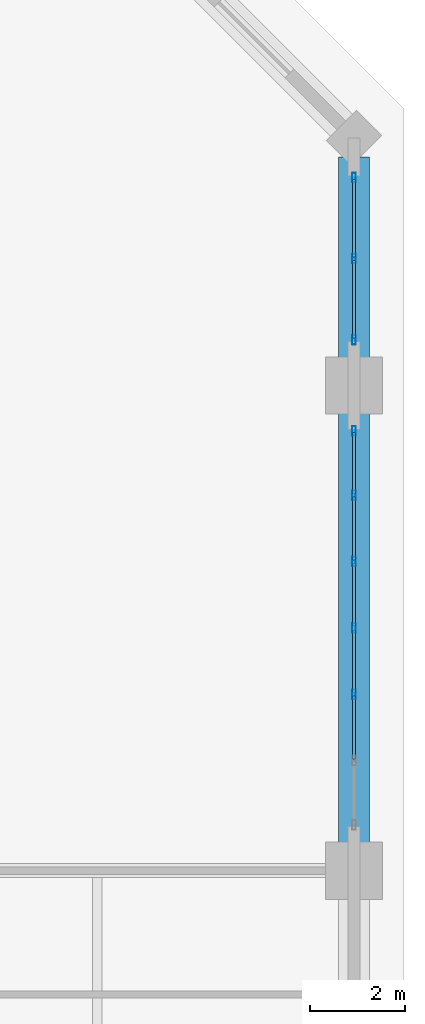
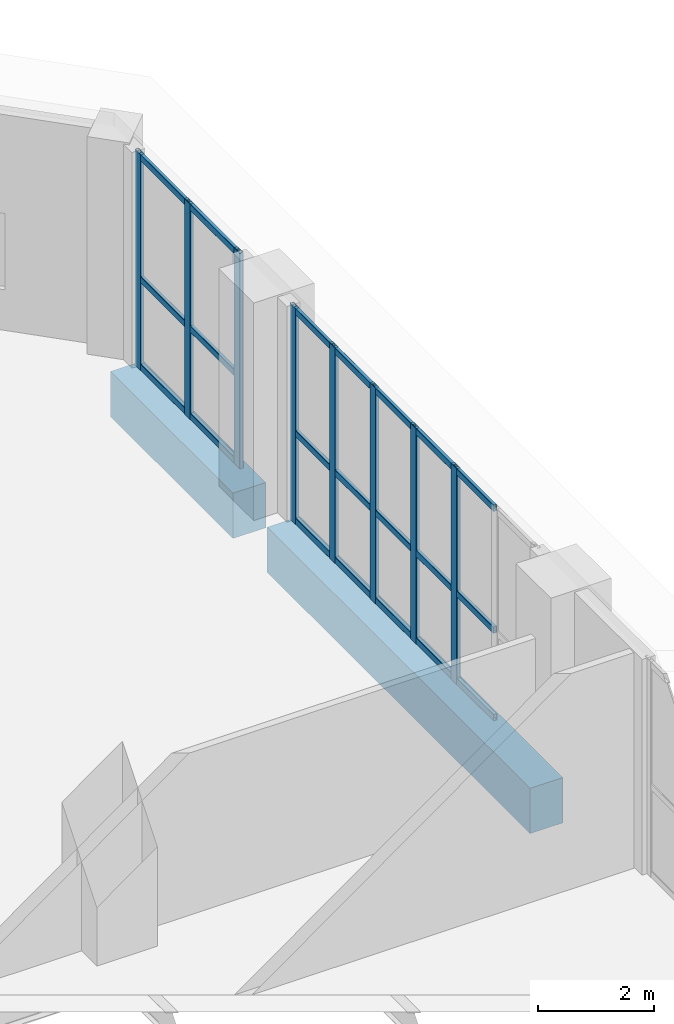
# One storey, part 23 of 37: 29 members, 2 beams, 2 elements without a shape of their own.
"""IFC4 building model written with IfcOpenShell, lengths in metres."""

from ifc_helpers import new_model, si_unit, direction, frame, origin, origin_2d, place, context, subcontext, project, spatial, rectangle, hollow_rectangle, extrude, material, layer, layer_set, material_profile, profile_set, type_object, element, aggregate, save


model = new_model("IFC4")

# Units and contexts
model_context = context("Model", 3, precision=1e-05, world=origin(), true_north=direction((0.0, 1.0)))
body_context = subcontext(model_context, "Body", "Model", "MODEL_VIEW")
ifc_project = project(units=[si_unit("LENGTHUNIT", "METRE"), si_unit("AREAUNIT", "SQUARE_METRE"), si_unit("VOLUMEUNIT", "CUBIC_METRE"), si_unit("PLANEANGLEUNIT", "RADIAN"), si_unit("MASSUNIT", "GRAM", prefix="KILO")], contexts=[model_context])

# Site, building, storey
site_placement = place(None, origin())
site = spatial("IfcSite", under=ifc_project, at=site_placement, CompositionType="ELEMENT")
building_placement = place(site_placement, origin())
building = spatial("IfcBuilding", under=site, at=building_placement, Name="Kaelvorn Grand Hotel", CompositionType="ELEMENT")
storey_placement = place(building_placement, frame((0.0, 0.0, 130.550048828125)))
storey = spatial("IfcBuildingStorey", under=building, at=storey_placement, Name="L31", CompositionType="ELEMENT", Elevation=130.550048828125)

# Beams
ifc_material_1 = material(Name="Concrete C60/75", Category="concrete")
ifc_material_profile_1 = material_profile(ifc_material_1, rectangle(XDim=0.64990234375, YDim=0.949951171875, at=origin_2d()), Name="RC SPANDREL 650x950")
ifc_profile_set_1 = profile_set([ifc_material_profile_1], Name="Concrete C60/75")
beam_type = type_object("IfcBeamType", Name="BM-SP-650x950-C60", PredefinedType="SPANDREL", material=ifc_profile_set_1)
beam_1_placement = place(storey_placement, frame((84.0, 29.985107421875, -0.715087890625), z_axis=(0.0, 1.0, 0.0), x_axis=(-1.0, 0.0, 0.0)))
element("IfcBeam", 1, at=beam_1_placement, inside=storey, type_object=beam_type, Name="L31 East Perimeter Spandrel 03", PredefinedType="SPANDREL", context=body_context, shape_type="SweptSolid", body=[
    extrude(rectangle(XDim=0.64990234375, YDim=0.949951171875, at=origin_2d()), origin(), (0.0, 0.0, 1.0), 9.02978515625),
])
beam_2_placement = place(storey_placement, frame((84.0, 40.18505859375, -0.715087890625), z_axis=(0.0, 1.0, 0.0), x_axis=(-1.0, 0.0, 0.0)))
element("IfcBeam", 2, at=beam_2_placement, inside=storey, type_object=beam_type, Name="L31 East Perimeter Spandrel 04", PredefinedType="SPANDREL", context=body_context, shape_type="SweptSolid", body=[
    extrude(rectangle(XDim=0.64990234375, YDim=0.949951171875, at=origin_2d()), origin(), (0.0, 0.0, 1.0), 4.2099609375),
])

# Curtain wall, members
ifc_material_2 = material(Name="Anodised Aluminium", Category="aluminium")
ifc_layer = layer(ifc_material_2, 0.199951171875)
ifc_layer_set = layer_set([ifc_layer], Name="Anodised Aluminium")
curtain_wall_type = type_object("IfcCurtainWallType", Name="CW-SYS3", PredefinedType="NOTDEFINED", material=ifc_layer_set)
curtain_wall_1_placement = place(storey_placement, origin())
curtain_wall_1 = element("IfcCurtainWall", 3, at=curtain_wall_1_placement, inside=storey, type_object=curtain_wall_type, Name="L31 Unitised Curtain Wall CW3 (CW-L31-E-03)", PredefinedType="NOTDEFINED")
ifc_material_profile_2 = material_profile(ifc_material_2, hollow_rectangle(XDim=0.074951171875, YDim=0.199951171875, WallThickness=0.00390625, InnerFilletRadius=0.00390625, OuterFilletRadius=0.008056640625, at=origin_2d()), Name="ALU MULL 75x200")
ifc_profile_set_2 = profile_set([ifc_material_profile_2], Name="Anodised Aluminium")
member_type_1 = type_object("IfcMemberType", Name="CW-SYS3-MULL", PredefinedType="MULLION", material=ifc_profile_set_2)
member_1_placement = place(storey_placement, frame((84.0, 33.106689453125, 0.0), z_axis=(0.0, 0.0, 1.0), x_axis=(-1.0, 0.0, 0.0)))
member_1 = element("IfcMember", 4, at=member_1_placement, type_object=member_type_1, Name="CW3 mullion 3", PredefinedType="MULLION", context=body_context, shape_type="SweptSolid", body=[
    extrude(hollow_rectangle(XDim=0.074951171875, YDim=0.199951171875, WallThickness=0.00390625, InnerFilletRadius=0.00390625, OuterFilletRadius=0.008056640625, at=origin_2d()), origin(), (0.0, 0.0, 1.0), 4.52001953125),
])
member_2_placement = place(storey_placement, frame((84.0, 34.5, 0.0), z_axis=(0.0, 0.0, 1.0), x_axis=(-1.0, 0.0, 0.0)))
member_2 = element("IfcMember", 5, at=member_2_placement, type_object=member_type_1, Name="CW3 mullion 4", PredefinedType="MULLION", context=body_context, shape_type="SweptSolid", body=[
    extrude(hollow_rectangle(XDim=0.074951171875, YDim=0.199951171875, WallThickness=0.00390625, InnerFilletRadius=0.00390625, OuterFilletRadius=0.008056640625, at=origin_2d()), origin(), (0.0, 0.0, 1.0), 4.52001953125),
])
member_3_placement = place(storey_placement, frame((84.0, 35.893310546875, 0.0), z_axis=(0.0, 0.0, 1.0), x_axis=(-1.0, 0.0, 0.0)))
member_3 = element("IfcMember", 6, at=member_3_placement, type_object=member_type_1, Name="CW3 mullion 5", PredefinedType="MULLION", context=body_context, shape_type="SweptSolid", body=[
    extrude(hollow_rectangle(XDim=0.074951171875, YDim=0.199951171875, WallThickness=0.00390625, InnerFilletRadius=0.00390625, OuterFilletRadius=0.008056640625, at=origin_2d()), origin(), (0.0, 0.0, 1.0), 4.52001953125),
])
member_4_placement = place(storey_placement, frame((84.0, 37.28662109375, 0.0), z_axis=(0.0, 0.0, 1.0), x_axis=(-1.0, 0.0, 0.0)))
member_4 = element("IfcMember", 7, at=member_4_placement, type_object=member_type_1, Name="CW3 mullion 6", PredefinedType="MULLION", context=body_context, shape_type="SweptSolid", body=[
    extrude(hollow_rectangle(XDim=0.074951171875, YDim=0.199951171875, WallThickness=0.00390625, InnerFilletRadius=0.00390625, OuterFilletRadius=0.008056640625, at=origin_2d()), origin(), (0.0, 0.0, 1.0), 4.52001953125),
])
member_5_placement = place(storey_placement, frame((84.0, 38.642578125, 0.0), z_axis=(0.0, 0.0, 1.0), x_axis=(-1.0, 0.0, 0.0)))
member_5 = element("IfcMember", 8, at=member_5_placement, type_object=member_type_1, Name="CW3 mullion 7", PredefinedType="MULLION", context=body_context, shape_type="SweptSolid", body=[
    extrude(hollow_rectangle(XDim=0.074951171875, YDim=0.199951171875, WallThickness=0.00390625, InnerFilletRadius=0.00390625, OuterFilletRadius=0.008056640625, at=origin_2d()), origin(), (0.0, 0.0, 1.0), 4.52001953125),
])

curtain_wall_2_placement = place(storey_placement, origin())
curtain_wall_2 = element("IfcCurtainWall", 9, at=curtain_wall_2_placement, inside=storey, type_object=curtain_wall_type, Name="L31 Unitised Curtain Wall CW3 (CW-L31-E-04)", PredefinedType="NOTDEFINED")
member_6_placement = place(storey_placement, frame((84.0, 40.5576171875, 0.0), z_axis=(0.0, 0.0, 1.0), x_axis=(-1.0, 0.0, 0.0)))
member_6 = element("IfcMember", 10, at=member_6_placement, type_object=member_type_1, Name="CW3 mullion 1", PredefinedType="MULLION", context=body_context, shape_type="SweptSolid", body=[
    extrude(hollow_rectangle(XDim=0.074951171875, YDim=0.199951171875, WallThickness=0.00390625, InnerFilletRadius=0.00390625, OuterFilletRadius=0.008056640625, at=origin_2d()), origin(), (0.0, 0.0, 1.0), 4.52001953125),
])
member_7_placement = place(storey_placement, frame((84.0, 42.260009765625, 0.0), z_axis=(0.0, 0.0, 1.0), x_axis=(-1.0, 0.0, 0.0)))
member_7 = element("IfcMember", 11, at=member_7_placement, type_object=member_type_1, Name="CW3 mullion 2", PredefinedType="MULLION", context=body_context, shape_type="SweptSolid", body=[
    extrude(hollow_rectangle(XDim=0.074951171875, YDim=0.199951171875, WallThickness=0.00390625, InnerFilletRadius=0.00390625, OuterFilletRadius=0.008056640625, at=origin_2d()), origin(), (0.0, 0.0, 1.0), 4.52001953125),
])
member_8_placement = place(storey_placement, frame((84.0, 43.96240234375, 0.0), z_axis=(0.0, 0.0, 1.0), x_axis=(-1.0, 0.0, 0.0)))
member_8 = element("IfcMember", 12, at=member_8_placement, type_object=member_type_1, Name="CW3 mullion 3", PredefinedType="MULLION", context=body_context, shape_type="SweptSolid", body=[
    extrude(hollow_rectangle(XDim=0.074951171875, YDim=0.199951171875, WallThickness=0.00390625, InnerFilletRadius=0.00390625, OuterFilletRadius=0.008056640625, at=origin_2d()), origin(), (0.0, 0.0, 1.0), 4.52001953125),
])

# Member
ifc_material_profile_3 = material_profile(ifc_material_2, hollow_rectangle(XDim=0.070068359375, YDim=0.135009765625, WallThickness=0.00341796875, InnerFilletRadius=0.00341796875, OuterFilletRadius=0.007080078125, at=origin_2d()), Name="ALU TRAN 70x135")
ifc_profile_set_3 = profile_set([ifc_material_profile_3], Name="Anodised Aluminium")
member_type_2 = type_object("IfcMemberType", Name="CW-SYS3-TRAN", PredefinedType="NOTDEFINED", material=ifc_profile_set_3)
member_9_placement = place(storey_placement, frame((84.0, 31.750732421875, 0.0673828125), z_axis=(0.0, 1.0, 0.0), x_axis=(-1.0, 0.0, 0.0)))
member_9 = element("IfcMember", 13, at=member_9_placement, type_object=member_type_2, Name="CW3 transom 2.1", ObjectType="TRANSOM", PredefinedType="USERDEFINED", context=body_context, shape_type="SweptSolid", body=[
    extrude(hollow_rectangle(XDim=0.070068359375, YDim=0.135009765625, WallThickness=0.00341796875, InnerFilletRadius=0.00341796875, OuterFilletRadius=0.007080078125, at=origin_2d()), origin(), (0.0, 0.0, 1.0), 1.318359375),
])

member_10_placement = place(storey_placement, frame((84.0, 31.750732421875, 1.8984375), z_axis=(0.0, 1.0, 0.0), x_axis=(-1.0, 0.0, 0.0)))
member_10 = element("IfcMember", 14, at=member_10_placement, type_object=member_type_2, Name="CW3 transom 2.2", ObjectType="TRANSOM", PredefinedType="USERDEFINED", context=body_context, shape_type="SweptSolid", body=[
    extrude(hollow_rectangle(XDim=0.070068359375, YDim=0.135009765625, WallThickness=0.00341796875, InnerFilletRadius=0.00341796875, OuterFilletRadius=0.007080078125, at=origin_2d()), origin(), (0.0, 0.0, 1.0), 1.318359375),
])

member_11_placement = place(storey_placement, frame((84.0, 31.750732421875, 4.452392578125), z_axis=(0.0, 1.0, 0.0), x_axis=(-1.0, 0.0, 0.0)))
member_11 = element("IfcMember", 15, at=member_11_placement, type_object=member_type_2, Name="CW3 transom 2.3", ObjectType="TRANSOM", PredefinedType="USERDEFINED", context=body_context, shape_type="SweptSolid", body=[
    extrude(hollow_rectangle(XDim=0.070068359375, YDim=0.135009765625, WallThickness=0.00341796875, InnerFilletRadius=0.00341796875, OuterFilletRadius=0.007080078125, at=origin_2d()), origin(), (0.0, 0.0, 1.0), 1.318359375),
])

member_12_placement = place(storey_placement, frame((84.0, 33.144287109375, 0.0673828125), z_axis=(0.0, 1.0, 0.0), x_axis=(-1.0, 0.0, 0.0)))
member_12 = element("IfcMember", 16, at=member_12_placement, type_object=member_type_2, Name="CW3 transom 3.1", ObjectType="TRANSOM", PredefinedType="USERDEFINED", context=body_context, shape_type="SweptSolid", body=[
    extrude(hollow_rectangle(XDim=0.070068359375, YDim=0.135009765625, WallThickness=0.00341796875, InnerFilletRadius=0.00341796875, OuterFilletRadius=0.007080078125, at=origin_2d()), origin(), (0.0, 0.0, 1.0), 1.318115234375),
])

member_13_placement = place(storey_placement, frame((84.0, 33.144287109375, 1.8984375), z_axis=(0.0, 1.0, 0.0), x_axis=(-1.0, 0.0, 0.0)))
member_13 = element("IfcMember", 17, at=member_13_placement, type_object=member_type_2, Name="CW3 transom 3.2", ObjectType="TRANSOM", PredefinedType="USERDEFINED", context=body_context, shape_type="SweptSolid", body=[
    extrude(hollow_rectangle(XDim=0.070068359375, YDim=0.135009765625, WallThickness=0.00341796875, InnerFilletRadius=0.00341796875, OuterFilletRadius=0.007080078125, at=origin_2d()), origin(), (0.0, 0.0, 1.0), 1.318115234375),
])

member_14_placement = place(storey_placement, frame((84.0, 33.144287109375, 4.452392578125), z_axis=(0.0, 1.0, 0.0), x_axis=(-1.0, 0.0, 0.0)))
member_14 = element("IfcMember", 18, at=member_14_placement, type_object=member_type_2, Name="CW3 transom 3.3", ObjectType="TRANSOM", PredefinedType="USERDEFINED", context=body_context, shape_type="SweptSolid", body=[
    extrude(hollow_rectangle(XDim=0.070068359375, YDim=0.135009765625, WallThickness=0.00341796875, InnerFilletRadius=0.00341796875, OuterFilletRadius=0.007080078125, at=origin_2d()), origin(), (0.0, 0.0, 1.0), 1.318115234375),
])

member_15_placement = place(storey_placement, frame((84.0, 34.53759765625, 0.0673828125), z_axis=(0.0, 1.0, 0.0), x_axis=(-1.0, 0.0, 0.0)))
member_15 = element("IfcMember", 19, at=member_15_placement, type_object=member_type_2, Name="CW3 transom 4.1", ObjectType="TRANSOM", PredefinedType="USERDEFINED", context=body_context, shape_type="SweptSolid", body=[
    extrude(hollow_rectangle(XDim=0.070068359375, YDim=0.135009765625, WallThickness=0.00341796875, InnerFilletRadius=0.00341796875, OuterFilletRadius=0.007080078125, at=origin_2d()), origin(), (0.0, 0.0, 1.0), 1.318115234375),
])

member_16_placement = place(storey_placement, frame((84.0, 34.53759765625, 1.8984375), z_axis=(0.0, 1.0, 0.0), x_axis=(-1.0, 0.0, 0.0)))
member_16 = element("IfcMember", 20, at=member_16_placement, type_object=member_type_2, Name="CW3 transom 4.2", ObjectType="TRANSOM", PredefinedType="USERDEFINED", context=body_context, shape_type="SweptSolid", body=[
    extrude(hollow_rectangle(XDim=0.070068359375, YDim=0.135009765625, WallThickness=0.00341796875, InnerFilletRadius=0.00341796875, OuterFilletRadius=0.007080078125, at=origin_2d()), origin(), (0.0, 0.0, 1.0), 1.318115234375),
])

member_17_placement = place(storey_placement, frame((84.0, 34.53759765625, 4.452392578125), z_axis=(0.0, 1.0, 0.0), x_axis=(-1.0, 0.0, 0.0)))
member_17 = element("IfcMember", 21, at=member_17_placement, type_object=member_type_2, Name="CW3 transom 4.3", ObjectType="TRANSOM", PredefinedType="USERDEFINED", context=body_context, shape_type="SweptSolid", body=[
    extrude(hollow_rectangle(XDim=0.070068359375, YDim=0.135009765625, WallThickness=0.00341796875, InnerFilletRadius=0.00341796875, OuterFilletRadius=0.007080078125, at=origin_2d()), origin(), (0.0, 0.0, 1.0), 1.318115234375),
])

member_18_placement = place(storey_placement, frame((84.0, 35.930908203125, 0.0673828125), z_axis=(0.0, 1.0, 0.0), x_axis=(-1.0, 0.0, 0.0)))
member_18 = element("IfcMember", 22, at=member_18_placement, type_object=member_type_2, Name="CW3 transom 5.1", ObjectType="TRANSOM", PredefinedType="USERDEFINED", context=body_context, shape_type="SweptSolid", body=[
    extrude(hollow_rectangle(XDim=0.070068359375, YDim=0.135009765625, WallThickness=0.00341796875, InnerFilletRadius=0.00341796875, OuterFilletRadius=0.007080078125, at=origin_2d()), origin(), (0.0, 0.0, 1.0), 1.318359375),
])

member_19_placement = place(storey_placement, frame((84.0, 35.930908203125, 1.8984375), z_axis=(0.0, 1.0, 0.0), x_axis=(-1.0, 0.0, 0.0)))
member_19 = element("IfcMember", 23, at=member_19_placement, type_object=member_type_2, Name="CW3 transom 5.2", ObjectType="TRANSOM", PredefinedType="USERDEFINED", context=body_context, shape_type="SweptSolid", body=[
    extrude(hollow_rectangle(XDim=0.070068359375, YDim=0.135009765625, WallThickness=0.00341796875, InnerFilletRadius=0.00341796875, OuterFilletRadius=0.007080078125, at=origin_2d()), origin(), (0.0, 0.0, 1.0), 1.318359375),
])

member_20_placement = place(storey_placement, frame((84.0, 35.930908203125, 4.452392578125), z_axis=(0.0, 1.0, 0.0), x_axis=(-1.0, 0.0, 0.0)))
member_20 = element("IfcMember", 24, at=member_20_placement, type_object=member_type_2, Name="CW3 transom 5.3", ObjectType="TRANSOM", PredefinedType="USERDEFINED", context=body_context, shape_type="SweptSolid", body=[
    extrude(hollow_rectangle(XDim=0.070068359375, YDim=0.135009765625, WallThickness=0.00341796875, InnerFilletRadius=0.00341796875, OuterFilletRadius=0.007080078125, at=origin_2d()), origin(), (0.0, 0.0, 1.0), 1.318359375),
])

member_21_placement = place(storey_placement, frame((84.0, 37.32421875, 0.0673828125), z_axis=(0.0, 1.0, 0.0), x_axis=(-1.0, 0.0, 0.0)))
member_21 = element("IfcMember", 25, at=member_21_placement, type_object=member_type_2, Name="CW3 transom 6.1", ObjectType="TRANSOM", PredefinedType="USERDEFINED", context=body_context, shape_type="SweptSolid", body=[
    extrude(hollow_rectangle(XDim=0.070068359375, YDim=0.135009765625, WallThickness=0.00341796875, InnerFilletRadius=0.00341796875, OuterFilletRadius=0.007080078125, at=origin_2d()), origin(), (0.0, 0.0, 1.0), 1.28076171875),
])

member_22_placement = place(storey_placement, frame((84.0, 37.32421875, 1.8984375), z_axis=(0.0, 1.0, 0.0), x_axis=(-1.0, 0.0, 0.0)))
member_22 = element("IfcMember", 26, at=member_22_placement, type_object=member_type_2, Name="CW3 transom 6.2", ObjectType="TRANSOM", PredefinedType="USERDEFINED", context=body_context, shape_type="SweptSolid", body=[
    extrude(hollow_rectangle(XDim=0.070068359375, YDim=0.135009765625, WallThickness=0.00341796875, InnerFilletRadius=0.00341796875, OuterFilletRadius=0.007080078125, at=origin_2d()), origin(), (0.0, 0.0, 1.0), 1.28076171875),
])

member_23_placement = place(storey_placement, frame((84.0, 37.32421875, 4.452392578125), z_axis=(0.0, 1.0, 0.0), x_axis=(-1.0, 0.0, 0.0)))
member_23 = element("IfcMember", 27, at=member_23_placement, type_object=member_type_2, Name="CW3 transom 6.3", ObjectType="TRANSOM", PredefinedType="USERDEFINED", context=body_context, shape_type="SweptSolid", body=[
    extrude(hollow_rectangle(XDim=0.070068359375, YDim=0.135009765625, WallThickness=0.00341796875, InnerFilletRadius=0.00341796875, OuterFilletRadius=0.007080078125, at=origin_2d()), origin(), (0.0, 0.0, 1.0), 1.28076171875),
])

aggregate(curtain_wall_1, [member_1, member_2, member_3, member_4, member_5, member_9, member_10, member_11, member_12, member_13, member_14, member_15, member_16, member_17, member_18, member_19, member_20, member_21, member_22, member_23])

member_24_placement = place(storey_placement, frame((84.0, 40.594970703125, 0.0673828125), z_axis=(0.0, 1.0, 0.0), x_axis=(-1.0, 0.0, 0.0)))
member_24 = element("IfcMember", 28, at=member_24_placement, type_object=member_type_2, Name="CW3 transom 1.1", ObjectType="TRANSOM", PredefinedType="USERDEFINED", context=body_context, shape_type="SweptSolid", body=[
    extrude(hollow_rectangle(XDim=0.070068359375, YDim=0.135009765625, WallThickness=0.00341796875, InnerFilletRadius=0.00341796875, OuterFilletRadius=0.007080078125, at=origin_2d()), origin(), (0.0, 0.0, 1.0), 1.62744140625),
])

member_25_placement = place(storey_placement, frame((84.0, 40.594970703125, 1.8984375), z_axis=(0.0, 1.0, 0.0), x_axis=(-1.0, 0.0, 0.0)))
member_25 = element("IfcMember", 29, at=member_25_placement, type_object=member_type_2, Name="CW3 transom 1.2", ObjectType="TRANSOM", PredefinedType="USERDEFINED", context=body_context, shape_type="SweptSolid", body=[
    extrude(hollow_rectangle(XDim=0.070068359375, YDim=0.135009765625, WallThickness=0.00341796875, InnerFilletRadius=0.00341796875, OuterFilletRadius=0.007080078125, at=origin_2d()), origin(), (0.0, 0.0, 1.0), 1.62744140625),
])

member_26_placement = place(storey_placement, frame((84.0, 40.594970703125, 4.452392578125), z_axis=(0.0, 1.0, 0.0), x_axis=(-1.0, 0.0, 0.0)))
member_26 = element("IfcMember", 30, at=member_26_placement, type_object=member_type_2, Name="CW3 transom 1.3", ObjectType="TRANSOM", PredefinedType="USERDEFINED", context=body_context, shape_type="SweptSolid", body=[
    extrude(hollow_rectangle(XDim=0.070068359375, YDim=0.135009765625, WallThickness=0.00341796875, InnerFilletRadius=0.00341796875, OuterFilletRadius=0.007080078125, at=origin_2d()), origin(), (0.0, 0.0, 1.0), 1.62744140625),
])

member_27_placement = place(storey_placement, frame((84.0, 42.297607421875, 0.0673828125), z_axis=(0.0, 1.0, 0.0), x_axis=(-1.0, 0.0, 0.0)))
member_27 = element("IfcMember", 31, at=member_27_placement, type_object=member_type_2, Name="CW3 transom 2.1", ObjectType="TRANSOM", PredefinedType="USERDEFINED", context=body_context, shape_type="SweptSolid", body=[
    extrude(hollow_rectangle(XDim=0.070068359375, YDim=0.135009765625, WallThickness=0.00341796875, InnerFilletRadius=0.00341796875, OuterFilletRadius=0.007080078125, at=origin_2d()), origin(), (0.0, 0.0, 1.0), 1.62744140625),
])

member_28_placement = place(storey_placement, frame((84.0, 42.297607421875, 1.8984375), z_axis=(0.0, 1.0, 0.0), x_axis=(-1.0, 0.0, 0.0)))
member_28 = element("IfcMember", 32, at=member_28_placement, type_object=member_type_2, Name="CW3 transom 2.2", ObjectType="TRANSOM", PredefinedType="USERDEFINED", context=body_context, shape_type="SweptSolid", body=[
    extrude(hollow_rectangle(XDim=0.070068359375, YDim=0.135009765625, WallThickness=0.00341796875, InnerFilletRadius=0.00341796875, OuterFilletRadius=0.007080078125, at=origin_2d()), origin(), (0.0, 0.0, 1.0), 1.62744140625),
])

member_29_placement = place(storey_placement, frame((84.0, 42.297607421875, 4.452392578125), z_axis=(0.0, 1.0, 0.0), x_axis=(-1.0, 0.0, 0.0)))
member_29 = element("IfcMember", 33, at=member_29_placement, type_object=member_type_2, Name="CW3 transom 2.3", ObjectType="TRANSOM", PredefinedType="USERDEFINED", context=body_context, shape_type="SweptSolid", body=[
    extrude(hollow_rectangle(XDim=0.070068359375, YDim=0.135009765625, WallThickness=0.00341796875, InnerFilletRadius=0.00341796875, OuterFilletRadius=0.007080078125, at=origin_2d()), origin(), (0.0, 0.0, 1.0), 1.62744140625),
])

aggregate(curtain_wall_2, [member_6, member_7, member_8, member_24, member_25, member_26, member_27, member_28, member_29])

save(model, "model.ifc")
